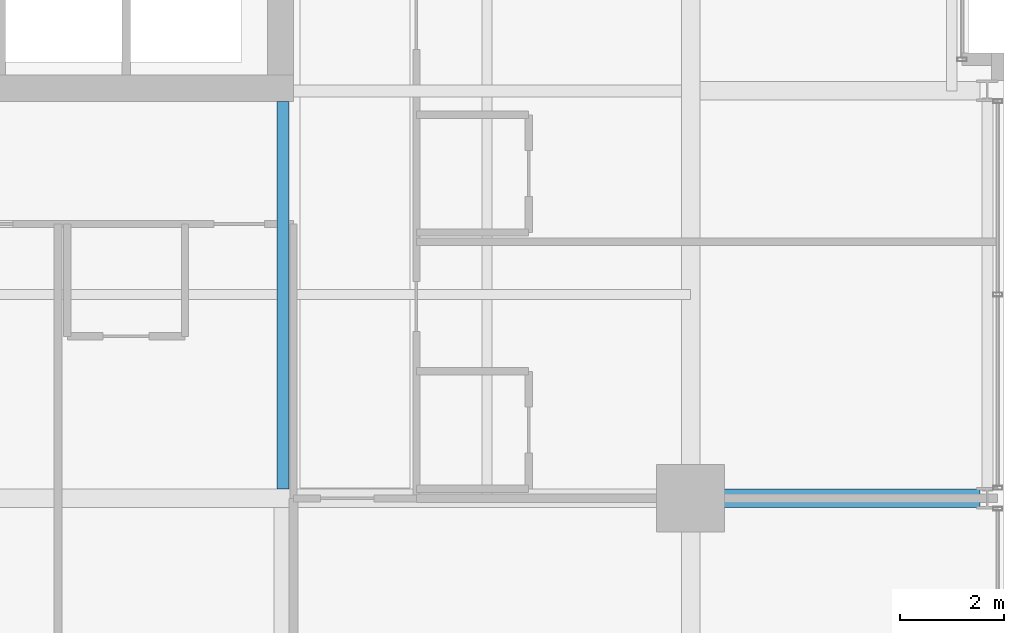
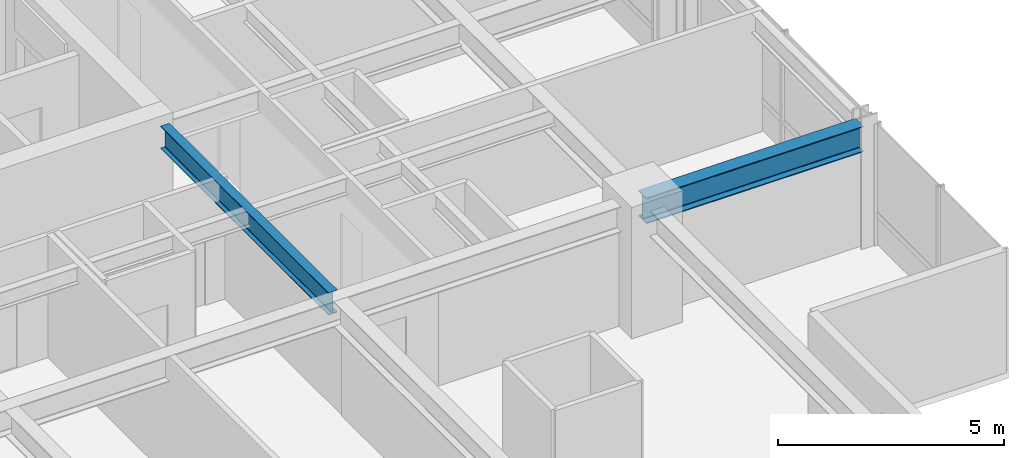
# One storey, part 12 of 32: 2 beams.
"""IFC4 building model written with IfcOpenShell, lengths in metres."""

from ifc_helpers import new_model, si_unit, direction, frame, origin, origin_2d, place, context, subcontext, project, spatial, i_section, extrude, material, material_profile, profile_set, type_object, element, save


model = new_model("IFC4")

# Units and contexts
model_context = context("Model", 3, precision=1e-05, world=origin(), true_north=direction((0.0, 1.0)))
body_context = subcontext(model_context, "Body", "Model", "MODEL_VIEW")
ifc_project = project(units=[si_unit("LENGTHUNIT", "METRE"), si_unit("AREAUNIT", "SQUARE_METRE"), si_unit("VOLUMEUNIT", "CUBIC_METRE"), si_unit("PLANEANGLEUNIT", "RADIAN"), si_unit("MASSUNIT", "GRAM", prefix="KILO")], contexts=[model_context])

# Site, building, storey
site_placement = place(None, origin())
site = spatial("IfcSite", under=ifc_project, at=site_placement, CompositionType="ELEMENT")
building_placement = place(site_placement, origin())
building = spatial("IfcBuilding", under=site, at=building_placement, Name="Drelvath Grand Hotel", CompositionType="ELEMENT")
storey_placement = place(building_placement, frame((0.0, 0.0, 157.5)))
storey = spatial("IfcBuildingStorey", under=building, at=storey_placement, Name="L40", CompositionType="ELEMENT", Elevation=157.5)

# Beams
ifc_material = material(Name="Steel ASTM A992 Gr 50", Category="steel")
ifc_material_profile_1 = material_profile(ifc_material, i_section(OverallWidth=0.228271484375, OverallDepth=0.607666015625, WebThickness=0.01123046875, FlangeThickness=0.017333984375, FilletRadius=0.02001953125, at=origin_2d()), Name="W24X76")
ifc_profile_set_1 = profile_set([ifc_material_profile_1], Name="Steel ASTM A992 Gr 50")
beam_type_1 = type_object("IfcBeamType", Name="Primary Floor Girder W24X76", PredefinedType="BEAM", material=ifc_profile_set_1)
beam_1_placement = place(storey_placement, frame((8.39990234375, 10.977294921875, 2.986083984375), z_axis=(0.0, 1.0, 0.0), x_axis=(-1.0, 0.0, 0.0)))
element("IfcBeam", 1, at=beam_1_placement, inside=storey, type_object=beam_type_1, Name="L40 South Core Tie 6", PredefinedType="BEAM", context=body_context, shape_type="SweptSolid", body=[
    extrude(i_section(OverallWidth=0.228271484375, OverallDepth=0.607666015625, WebThickness=0.01123046875, FlangeThickness=0.017333984375, FilletRadius=0.02001953125, at=origin_2d()), origin(), (0.0, 0.0, 1.0), 7.422607421875),
])
ifc_material_profile_2 = material_profile(ifc_material, i_section(OverallWidth=0.354736328125, OverallDepth=0.695556640625, WebThickness=0.015380859375, FlangeThickness=0.025146484375, FilletRadius=0.02392578125, at=origin_2d()), Name="W27X146")
ifc_profile_set_2 = profile_set([ifc_material_profile_2], Name="Steel ASTM A992 Gr 50")
beam_type_2 = type_object("IfcBeamType", Name="Primary Floor Girder W27X146", PredefinedType="BEAM", material=ifc_profile_set_2)
beam_2_placement = place(storey_placement, frame((16.199951171875, 10.800048828125, 2.9423828125), z_axis=(1.0, 0.0, 0.0), x_axis=(0.0, 1.0, 0.0)))
element("IfcBeam", 2, at=beam_2_placement, inside=storey, type_object=beam_type_2, Name="L40 East Grid Girder C", PredefinedType="BEAM", context=body_context, shape_type="SweptSolid", body=[
    extrude(i_section(OverallWidth=0.354736328125, OverallDepth=0.695556640625, WebThickness=0.015380859375, FlangeThickness=0.025146484375, FilletRadius=0.02392578125, at=origin_2d()), origin(), (0.0, 0.0, 1.0), 5.5400390625),
])

save(model, "model.ifc")
